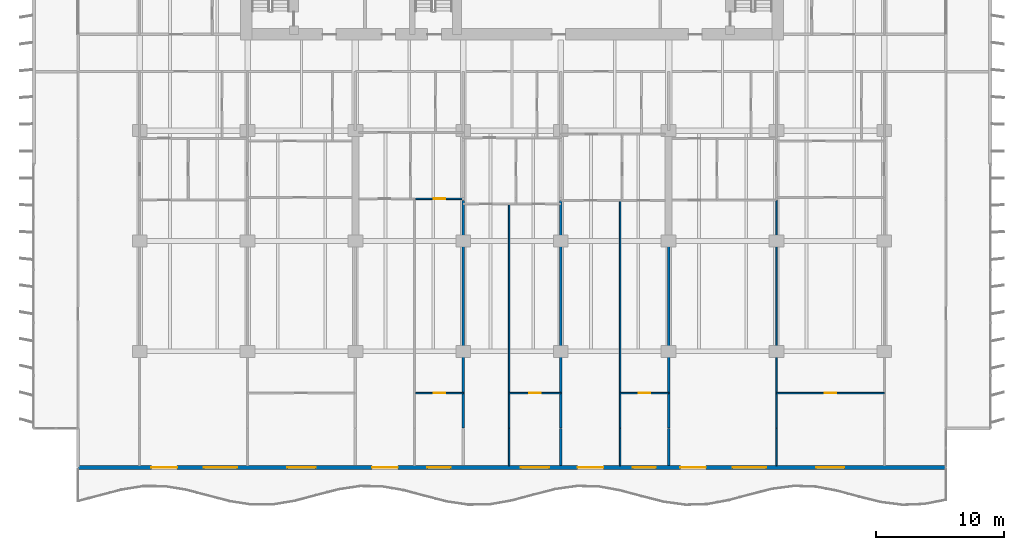
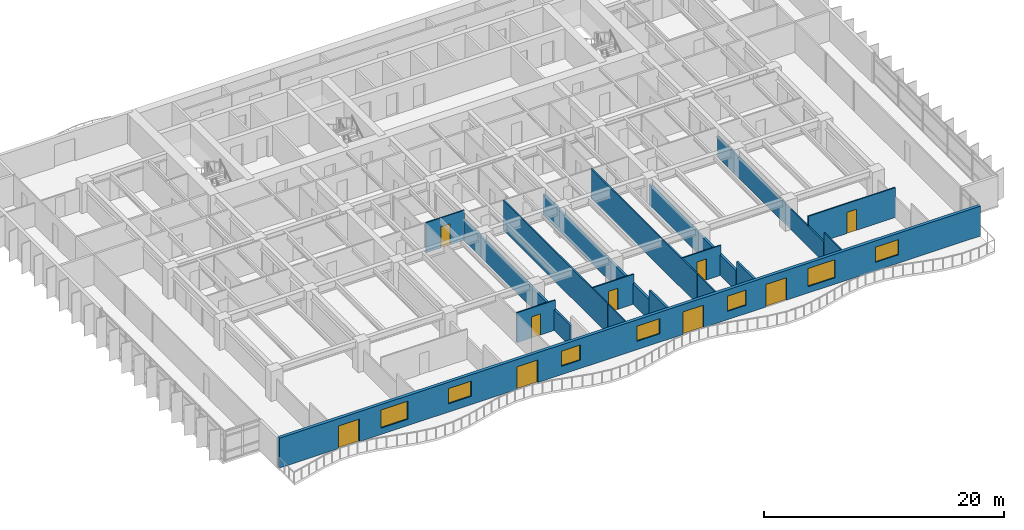
# One storey, part 8 of 18: 17 walls, 9 doors, 7 windows, 16 openings.
"""IFC4 building model written with IfcOpenShell, lengths in metres."""

from ifc_helpers import new_model, si_unit, direction, frame, frame_2d, origin, place, context, subcontext, project, spatial, rectangle, extrude, material, layer, layer_set, type_object, element, fill, save


model = new_model("IFC4")

# Units and contexts
model_context = context("Model", 3, precision=1e-05, world=origin(), true_north=direction((0.0, 1.0)))
body_context = subcontext(model_context, "Body", "Model", "MODEL_VIEW")
ifc_project = project(units=[si_unit("LENGTHUNIT", "METRE"), si_unit("AREAUNIT", "SQUARE_METRE"), si_unit("VOLUMEUNIT", "CUBIC_METRE"), si_unit("PLANEANGLEUNIT", "RADIAN"), si_unit("MASSUNIT", "GRAM", prefix="KILO")], contexts=[model_context])

# Site, building, storey
site_placement = place(None, origin())
site = spatial("IfcSite", under=ifc_project, at=site_placement, CompositionType="ELEMENT")
building_placement = place(site_placement, origin())
building = spatial("IfcBuilding", under=site, at=building_placement, Name="Caelmar Bay Residences", CompositionType="ELEMENT")
storey_placement = place(building_placement, frame((0.0, 0.0, 43.199951171875)))
storey = spatial("IfcBuildingStorey", under=building, at=storey_placement, Name="L10", CompositionType="ELEMENT", Elevation=43.199951171875)

# Wall, openings, doors, windows
ifc_material_1 = material(Name="Precast concrete f'c 40 MPa (6,000 psi)", Category="concrete")
ifc_layer_1 = layer(ifc_material_1, 0.300048828125)
ifc_layer_set_1 = layer_set([ifc_layer_1], Name="Precast concrete f'c 40 MPa (6,000 psi)")
wall_type_1 = type_object("IfcWallType", Name="W-EXT-300", PredefinedType="STANDARD", material=ifc_layer_set_1)
wall_1_placement = place(storey_placement, frame((72.699951171875, 3.14990234375, 0.0), z_axis=(0.0, 0.0, 1.0), x_axis=(-1.0, 0.0, 0.0)))
wall_1 = element("IfcWall", 1, at=wall_1_placement, inside=storey, type_object=wall_type_1, Name="L10 South Bayfront Exterior Wall", PredefinedType="STANDARD", context=body_context, shape_type="SweptSolid", body=[
    extrude(rectangle(XDim=67.599853515625, YDim=0.300048828125, at=frame_2d((33.7998046875, 0.0))), origin(), (0.0, 0.0, 1.0), 3.050048828125),
])
opening_1_placement = place(wall_1_placement, frame((59.889892578125, 0.0, 0.0)))
opening_1 = element("IfcOpeningElement", 2, at=opening_1_placement, cuts=wall_1, Name="Opening L10-BD01", PredefinedType="OPENING", context=body_context, shape_type="SweptSolid", body=[
    extrude(rectangle(XDim=2.0, YDim=2.300048828125, at=frame_2d((1.0, 1.14990234375))), frame((0.0, 0.159912109375, 0.0), z_axis=(0.0, -1.0, 0.0), x_axis=(1.0, 0.0, 0.0)), (0.0, 0.0, 1.0), 0.320068359375),
])
opening_2_placement = place(wall_1_placement, frame((55.2099609375, 0.0, 0.64990234375)))
opening_2 = element("IfcOpeningElement", 3, at=opening_2_placement, cuts=wall_1, Name="Opening WN3", PredefinedType="OPENING", context=body_context, shape_type="SweptSolid", body=[
    extrude(rectangle(XDim=2.60009765625, YDim=1.85009765625, at=frame_2d((1.300048828125, 0.925048828125))), frame((0.0, 0.159912109375, 0.0), z_axis=(0.0, -1.0, 0.0), x_axis=(1.0, 0.0, 0.0)), (0.0, 0.0, 1.0), 0.320068359375),
])
opening_3_placement = place(wall_1_placement, frame((49.10009765625, 0.0, 0.85009765625)))
opening_3 = element("IfcOpeningElement", 4, at=opening_3_placement, cuts=wall_1, Name="Opening WN2", PredefinedType="OPENING", context=body_context, shape_type="SweptSolid", body=[
    extrude(rectangle(XDim=2.199951171875, YDim=1.550048828125, at=frame_2d((1.10009765625, 0.77490234375))), frame((0.0, 0.159912109375, 0.0), z_axis=(0.0, -1.0, 0.0), x_axis=(1.0, 0.0, 0.0)), (0.0, 0.0, 1.0), 0.320068359375),
])
opening_4_placement = place(wall_1_placement, frame((42.68994140625, 0.0, 0.0)))
opening_4 = element("IfcOpeningElement", 5, at=opening_4_placement, cuts=wall_1, Name="Opening L10-BD02", PredefinedType="OPENING", context=body_context, shape_type="SweptSolid", body=[
    extrude(rectangle(XDim=2.0, YDim=2.300048828125, at=frame_2d((1.0, 1.14990234375))), frame((0.0, 0.159912109375, 0.0), z_axis=(0.0, -1.0, 0.0), x_axis=(1.0, 0.0, 0.0)), (0.0, 0.0, 1.0), 0.320068359375),
])
opening_5_placement = place(wall_1_placement, frame((38.590087890625, 0.0, 0.85009765625)))
opening_5 = element("IfcOpeningElement", 6, at=opening_5_placement, cuts=wall_1, Name="Opening WN1", PredefinedType="OPENING", context=body_context, shape_type="SweptSolid", body=[
    extrude(rectangle(XDim=1.800048828125, YDim=1.550048828125, at=frame_2d((0.89990234375, 0.77490234375))), frame((0.0, 0.159912109375, 0.0), z_axis=(0.0, -1.0, 0.0), x_axis=(1.0, 0.0, 0.0)), (0.0, 0.0, 1.0), 0.320068359375),
])
opening_6_placement = place(wall_1_placement, frame((30.9140625, 0.0, 0.85009765625)))
opening_6 = element("IfcOpeningElement", 7, at=opening_6_placement, cuts=wall_1, Name="Opening WN2", PredefinedType="OPENING", context=body_context, shape_type="SweptSolid", body=[
    extrude(rectangle(XDim=2.199951171875, YDim=1.550048828125, at=frame_2d((1.10009765625, 0.77490234375))), frame((0.0, 0.159912109375, 0.0), z_axis=(0.0, -1.0, 0.0), x_axis=(1.0, 0.0, 0.0)), (0.0, 0.0, 1.0), 0.320068359375),
])
opening_7_placement = place(wall_1_placement, frame((26.68994140625, 0.0, 0.0)))
opening_7 = element("IfcOpeningElement", 8, at=opening_7_placement, cuts=wall_1, Name="Opening L10-BD03", PredefinedType="OPENING", context=body_context, shape_type="SweptSolid", body=[
    extrude(rectangle(XDim=2.0, YDim=2.300048828125, at=frame_2d((1.0, 1.14990234375))), frame((0.0, 0.159912109375, 0.0), z_axis=(0.0, -1.0, 0.0), x_axis=(1.0, 0.0, 0.0)), (0.0, 0.0, 1.0), 0.320068359375),
])
opening_8_placement = place(wall_1_placement, frame((22.590087890625, 0.0, 0.85009765625)))
opening_8 = element("IfcOpeningElement", 9, at=opening_8_placement, cuts=wall_1, Name="Opening WN1", PredefinedType="OPENING", context=body_context, shape_type="SweptSolid", body=[
    extrude(rectangle(XDim=1.800048828125, YDim=1.550048828125, at=frame_2d((0.89990234375, 0.77490234375))), frame((0.0, 0.159912109375, 0.0), z_axis=(0.0, -1.0, 0.0), x_axis=(1.0, 0.0, 0.0)), (0.0, 0.0, 1.0), 0.320068359375),
])
opening_9_placement = place(wall_1_placement, frame((18.68994140625, 0.0, 0.0)))
opening_9 = element("IfcOpeningElement", 10, at=opening_9_placement, cuts=wall_1, Name="Opening L10-BD04", PredefinedType="OPENING", context=body_context, shape_type="SweptSolid", body=[
    extrude(rectangle(XDim=2.0, YDim=2.300048828125, at=frame_2d((1.0, 1.14990234375))), frame((0.0, 0.159912109375, 0.0), z_axis=(0.0, -1.0, 0.0), x_axis=(1.0, 0.0, 0.0)), (0.0, 0.0, 1.0), 0.320068359375),
])
opening_10_placement = place(wall_1_placement, frame((14.010009765625, 0.0, 0.64990234375)))
opening_10 = element("IfcOpeningElement", 11, at=opening_10_placement, cuts=wall_1, Name="Opening WN3", PredefinedType="OPENING", context=body_context, shape_type="SweptSolid", body=[
    extrude(rectangle(XDim=2.60009765625, YDim=1.85009765625, at=frame_2d((1.300048828125, 0.925048828125))), frame((0.0, 0.159912109375, 0.0), z_axis=(0.0, -1.0, 0.0), x_axis=(1.0, 0.0, 0.0)), (0.0, 0.0, 1.0), 0.320068359375),
])
opening_11_placement = place(wall_1_placement, frame((7.89990234375, 0.0, 0.85009765625)))
opening_11 = element("IfcOpeningElement", 12, at=opening_11_placement, cuts=wall_1, Name="Opening WN2", PredefinedType="OPENING", context=body_context, shape_type="SweptSolid", body=[
    extrude(rectangle(XDim=2.199951171875, YDim=1.550048828125, at=frame_2d((1.10009765625, 0.77490234375))), frame((0.0, 0.159912109375, 0.0), z_axis=(0.0, -1.0, 0.0), x_axis=(1.0, 0.0, 0.0)), (0.0, 0.0, 1.0), 0.320068359375),
])
ifc_material_2 = material(Name="Anodised bronze thermally broken sliding glass door", Category="glass")
ifc_layer_2 = layer(ifc_material_2, 0.050048828125)
ifc_layer_set_2 = layer_set([ifc_layer_2], Name="Anodised bronze thermally broken sliding glass door")
door_type_1 = type_object("IfcDoorType", Name="D-BAL-2000", OperationType="DOUBLE_DOOR_SLIDING", PredefinedType="DOOR", material=ifc_layer_set_2)
door_1_placement = place(opening_1_placement, origin())
door_1 = element("IfcDoor", 13, at=door_1_placement, inside=storey, type_object=door_type_1, Name="L10 Residence 01 Penthouse Living Salon Balcony Door", OperationType="DOUBLE_DOOR_SLIDING", OverallHeight=2.300048828125, OverallWidth=2.0, PredefinedType="DOOR", context=body_context, shape_type="SweptSolid", body=[
    extrude(rectangle(XDim=2.0, YDim=2.300048828125, at=frame_2d((1.0, 1.14990234375))), frame((0.0, 0.02490234375, 0.0), z_axis=(0.0, -1.0, 0.0), x_axis=(1.0, 0.0, 0.0)), (0.0, 0.0, 1.0), 0.050048828125),
])
fill(opening_1, door_1)
door_2_placement = place(opening_4_placement, origin())
door_2 = element("IfcDoor", 14, at=door_2_placement, inside=storey, type_object=door_type_1, Name="L10 Residence 02 Penthouse Living Salon Balcony Door", OperationType="DOUBLE_DOOR_SLIDING", OverallHeight=2.300048828125, OverallWidth=2.0, PredefinedType="DOOR", context=body_context, shape_type="SweptSolid", body=[
    extrude(rectangle(XDim=2.0, YDim=2.300048828125, at=frame_2d((1.0, 1.14990234375))), frame((0.0, 0.02490234375, 0.0), z_axis=(0.0, -1.0, 0.0), x_axis=(1.0, 0.0, 0.0)), (0.0, 0.0, 1.0), 0.050048828125),
])
fill(opening_4, door_2)
door_3_placement = place(opening_7_placement, origin())
door_3 = element("IfcDoor", 15, at=door_3_placement, inside=storey, type_object=door_type_1, Name="L10 Residence 04 Penthouse Living Salon Balcony Door", OperationType="DOUBLE_DOOR_SLIDING", OverallHeight=2.300048828125, OverallWidth=2.0, PredefinedType="DOOR", context=body_context, shape_type="SweptSolid", body=[
    extrude(rectangle(XDim=2.0, YDim=2.300048828125, at=frame_2d((1.0, 1.14990234375))), frame((0.0, 0.02490234375, 0.0), z_axis=(0.0, -1.0, 0.0), x_axis=(1.0, 0.0, 0.0)), (0.0, 0.0, 1.0), 0.050048828125),
])
fill(opening_7, door_3)
door_4_placement = place(opening_9_placement, origin())
door_4 = element("IfcDoor", 16, at=door_4_placement, inside=storey, type_object=door_type_1, Name="L10 Residence 05 Penthouse Living Salon Balcony Door", OperationType="DOUBLE_DOOR_SLIDING", OverallHeight=2.300048828125, OverallWidth=2.0, PredefinedType="DOOR", context=body_context, shape_type="SweptSolid", body=[
    extrude(rectangle(XDim=2.0, YDim=2.300048828125, at=frame_2d((1.0, 1.14990234375))), frame((0.0, 0.02490234375, 0.0), z_axis=(0.0, -1.0, 0.0), x_axis=(1.0, 0.0, 0.0)), (0.0, 0.0, 1.0), 0.050048828125),
])
fill(opening_9, door_4)
ifc_material_3 = material(Name="Bronze aluminium frame with laminated low-E glass", Category="aluminium")
ifc_layer_3 = layer(ifc_material_3, 0.06005859375)
ifc_layer_set_3 = layer_set([ifc_layer_3], Name="Bronze aluminium frame with laminated low-E glass")
window_type_1 = type_object("IfcWindowType", Name="WIN-BR-1800", PartitioningType="SINGLE_PANEL", PredefinedType="WINDOW", material=ifc_layer_set_3)
window_1_placement = place(opening_5_placement, origin())
window_1 = element("IfcWindow", 17, at=window_1_placement, inside=storey, type_object=window_type_1, Name="L10 Residence 02 Primary Bedroom Window", OverallHeight=1.550048828125, OverallWidth=1.800048828125, PartitioningType="SINGLE_PANEL", PredefinedType="WINDOW", context=body_context, shape_type="SweptSolid", body=[
    extrude(rectangle(XDim=1.800048828125, YDim=1.550048828125, at=frame_2d((0.89990234375, 0.77490234375))), frame((0.0, 0.030029296875, 0.0), z_axis=(0.0, -1.0, 0.0), x_axis=(1.0, 0.0, 0.0)), (0.0, 0.0, 1.0), 0.06005859375),
])
fill(opening_5, window_1)
window_2_placement = place(opening_8_placement, origin())
window_2 = element("IfcWindow", 18, at=window_2_placement, inside=storey, type_object=window_type_1, Name="L10 Residence 04 Primary Bedroom Window", OverallHeight=1.550048828125, OverallWidth=1.800048828125, PartitioningType="SINGLE_PANEL", PredefinedType="WINDOW", context=body_context, shape_type="SweptSolid", body=[
    extrude(rectangle(XDim=1.800048828125, YDim=1.550048828125, at=frame_2d((0.89990234375, 0.77490234375))), frame((0.0, 0.030029296875, 0.0), z_axis=(0.0, -1.0, 0.0), x_axis=(1.0, 0.0, 0.0)), (0.0, 0.0, 1.0), 0.06005859375),
])
fill(opening_8, window_2)
ifc_layer_4 = layer(ifc_material_3, 0.06005859375)
ifc_layer_set_4 = layer_set([ifc_layer_4], Name="Bronze aluminium frame with laminated low-E glass")
window_type_2 = type_object("IfcWindowType", Name="WIN-BR-2200", PartitioningType="SINGLE_PANEL", PredefinedType="WINDOW", material=ifc_layer_set_4)
window_3_placement = place(opening_3_placement, origin())
window_3 = element("IfcWindow", 19, at=window_3_placement, inside=storey, type_object=window_type_2, Name="L10 Residence 01 Primary Bedroom 1 Window", OverallHeight=1.550048828125, OverallWidth=2.199951171875, PartitioningType="SINGLE_PANEL", PredefinedType="WINDOW", context=body_context, shape_type="SweptSolid", body=[
    extrude(rectangle(XDim=2.199951171875, YDim=1.550048828125, at=frame_2d((1.10009765625, 0.77490234375))), frame((0.0, 0.030029296875, 0.0), z_axis=(0.0, -1.0, 0.0), x_axis=(1.0, 0.0, 0.0)), (0.0, 0.0, 1.0), 0.06005859375),
])
fill(opening_3, window_3)
window_4_placement = place(opening_6_placement, origin())
window_4 = element("IfcWindow", 20, at=window_4_placement, inside=storey, type_object=window_type_2, Name="L10 Residence 03 Primary Bedroom Window", OverallHeight=1.550048828125, OverallWidth=2.199951171875, PartitioningType="SINGLE_PANEL", PredefinedType="WINDOW", context=body_context, shape_type="SweptSolid", body=[
    extrude(rectangle(XDim=2.199951171875, YDim=1.550048828125, at=frame_2d((1.10009765625, 0.77490234375))), frame((0.0, 0.030029296875, 0.0), z_axis=(0.0, -1.0, 0.0), x_axis=(1.0, 0.0, 0.0)), (0.0, 0.0, 1.0), 0.06005859375),
])
fill(opening_6, window_4)
window_5_placement = place(opening_11_placement, origin())
window_5 = element("IfcWindow", 21, at=window_5_placement, inside=storey, type_object=window_type_2, Name="L10 Residence 05 Primary Bedroom 1 Window", OverallHeight=1.550048828125, OverallWidth=2.199951171875, PartitioningType="SINGLE_PANEL", PredefinedType="WINDOW", context=body_context, shape_type="SweptSolid", body=[
    extrude(rectangle(XDim=2.199951171875, YDim=1.550048828125, at=frame_2d((1.10009765625, 0.77490234375))), frame((0.0, 0.030029296875, 0.0), z_axis=(0.0, -1.0, 0.0), x_axis=(1.0, 0.0, 0.0)), (0.0, 0.0, 1.0), 0.06005859375),
])
fill(opening_11, window_5)
ifc_layer_5 = layer(ifc_material_3, 0.06005859375)
ifc_layer_set_5 = layer_set([ifc_layer_5], Name="Bronze aluminium frame with laminated low-E glass")
window_type_3 = type_object("IfcWindowType", Name="WIN-LIV-2600", PartitioningType="SINGLE_PANEL", PredefinedType="WINDOW", material=ifc_layer_set_5)
window_6_placement = place(opening_2_placement, origin())
window_6 = element("IfcWindow", 22, at=window_6_placement, inside=storey, type_object=window_type_3, Name="L10 Residence 01 Penthouse Living Salon Panoramic Window", OverallHeight=1.85009765625, OverallWidth=2.60009765625, PartitioningType="SINGLE_PANEL", PredefinedType="WINDOW", context=body_context, shape_type="SweptSolid", body=[
    extrude(rectangle(XDim=2.60009765625, YDim=1.85009765625, at=frame_2d((1.300048828125, 0.925048828125))), frame((0.0, 0.030029296875, 0.0), z_axis=(0.0, -1.0, 0.0), x_axis=(1.0, 0.0, 0.0)), (0.0, 0.0, 1.0), 0.06005859375),
])
fill(opening_2, window_6)
window_7_placement = place(opening_10_placement, origin())
window_7 = element("IfcWindow", 23, at=window_7_placement, inside=storey, type_object=window_type_3, Name="L10 Residence 05 Penthouse Living Salon Panoramic Window", OverallHeight=1.85009765625, OverallWidth=2.60009765625, PartitioningType="SINGLE_PANEL", PredefinedType="WINDOW", context=body_context, shape_type="SweptSolid", body=[
    extrude(rectangle(XDim=2.60009765625, YDim=1.85009765625, at=frame_2d((1.300048828125, 0.925048828125))), frame((0.0, 0.030029296875, 0.0), z_axis=(0.0, -1.0, 0.0), x_axis=(1.0, 0.0, 0.0)), (0.0, 0.0, 1.0), 0.06005859375),
])
fill(opening_10, window_7)

# Walls
ifc_material_4 = material(Name="Acoustic metal-stud gypsum partition 120 mm")
ifc_layer_6 = layer(ifc_material_4, 0.1201171875)
ifc_layer_set_6 = layer_set([ifc_layer_6], Name="Acoustic metal-stud gypsum partition 120 mm")
wall_type_2 = type_object("IfcWallType", Name="W-PRT-120", PredefinedType="PARTITIONING", material=ifc_layer_set_6)
wall_2_placement = place(storey_placement, frame((38.672119140625, 3.294921875, 0.0), z_axis=(0.0, 0.0, 1.0), x_axis=(0.0, 1.0, 0.0)))
element("IfcWall", 24, at=wall_2_placement, inside=storey, type_object=wall_type_2, Name="L10 Partition Wall V053", PredefinedType="PARTITIONING", context=body_context, shape_type="SweptSolid", body=[
    extrude(rectangle(XDim=2.905029296875, YDim=0.1201171875, at=frame_2d((1.45263671875, 0.0))), origin(), (0.0, 0.0, 1.0), 3.050048828125),
])
wall_3_placement = place(storey_placement, frame((38.672119140625, 6.239990234375, 0.0), z_axis=(0.0, 0.0, 1.0), x_axis=(0.0, 1.0, 0.0)))
element("IfcWall", 25, at=wall_3_placement, inside=storey, type_object=wall_type_2, Name="L10 Partition Wall V054", PredefinedType="PARTITIONING", context=body_context, shape_type="SweptSolid", body=[
    extrude(rectangle(XDim=17.449951171875, YDim=0.1201171875, at=frame_2d((8.72509765625, 0.0))), origin(), (0.0, 0.0, 1.0), 3.050048828125),
])
wall_4_placement = place(storey_placement, frame((47.320068359375, 3.294921875, 0.0), z_axis=(0.0, 0.0, 1.0), x_axis=(0.0, 1.0, 0.0)))
element("IfcWall", 26, at=wall_4_placement, inside=storey, type_object=wall_type_2, Name="L10 Partition Wall V070", PredefinedType="PARTITIONING", context=body_context, shape_type="SweptSolid", body=[
    extrude(rectangle(XDim=2.905029296875, YDim=0.1201171875, at=frame_2d((1.45263671875, 0.0))), origin(), (0.0, 0.0, 1.0), 3.050048828125),
])
wall_5_placement = place(storey_placement, frame((47.320068359375, 6.239990234375, 0.0), z_axis=(0.0, 0.0, 1.0), x_axis=(0.0, 1.0, 0.0)))
element("IfcWall", 27, at=wall_5_placement, inside=storey, type_object=wall_type_2, Name="L10 Partition Wall V071", PredefinedType="PARTITIONING", context=body_context, shape_type="SweptSolid", body=[
    extrude(rectangle(XDim=17.72998046875, YDim=0.1201171875, at=frame_2d((8.864990234375, 0.0))), origin(), (0.0, 0.0, 1.0), 3.050048828125),
])
wall_6_placement = place(storey_placement, frame((59.5, 3.294921875, 0.0), z_axis=(0.0, 0.0, 1.0), x_axis=(0.0, 1.0, 0.0)))
element("IfcWall", 28, at=wall_6_placement, inside=storey, type_object=wall_type_2, Name="L10 Partition Wall V090", PredefinedType="PARTITIONING", context=body_context, shape_type="SweptSolid", body=[
    extrude(rectangle(XDim=2.905029296875, YDim=0.1201171875, at=frame_2d((1.45263671875, 0.0))), origin(), (0.0, 0.0, 1.0), 3.050048828125),
])
wall_7_placement = place(storey_placement, frame((59.5, 6.239990234375, 0.0), z_axis=(0.0, 0.0, 1.0), x_axis=(0.0, 1.0, 0.0)))
element("IfcWall", 29, at=wall_7_placement, inside=storey, type_object=wall_type_2, Name="L10 Partition Wall V091", PredefinedType="PARTITIONING", context=body_context, shape_type="SweptSolid", body=[
    extrude(rectangle(XDim=17.72998046875, YDim=0.1201171875, at=frame_2d((8.864990234375, 0.0))), origin(), (0.0, 0.0, 1.0), 2.110107421875),
])

# Wall, opening, door
wall_8_placement = place(storey_placement, frame((31.39990234375, 8.949951171875, 0.0), z_axis=(0.0, 0.0, 1.0), x_axis=(1.0, 0.0, 0.0)))
wall_8 = element("IfcWall", 30, at=wall_8_placement, inside=storey, type_object=wall_type_2, Name="L10 Partition Wall H114", PredefinedType="PARTITIONING", context=body_context, shape_type="SweptSolid", body=[
    extrude(rectangle(XDim=3.7001953125, YDim=0.1201171875, at=frame_2d((1.85009765625, 0.0))), origin(), (0.0, 0.0, 1.0), 3.050048828125),
])
opening_12_placement = place(wall_8_placement, frame((1.39990234375, 0.0, 0.0)))
opening_12 = element("IfcOpeningElement", 31, at=opening_12_placement, cuts=wall_8, Name="Opening D-L10-140", PredefinedType="OPENING", context=body_context, shape_type="SweptSolid", body=[
    extrude(rectangle(XDim=0.89990234375, YDim=2.14990234375, at=frame_2d((0.449951171875, 1.074951171875))), frame((0.0, 0.070068359375, 0.0), z_axis=(0.0, -1.0, 0.0), x_axis=(1.0, 0.0, 0.0)), (0.0, 0.0, 1.0), 0.14013671875),
])
ifc_material_5 = material(Name="Solid walnut timber interior door leaf and frame", Category="wood")
ifc_layer_7 = layer(ifc_material_5, 0.050048828125)
ifc_layer_set_7 = layer_set([ifc_layer_7], Name="Solid walnut timber interior door leaf and frame")
door_type_2 = type_object("IfcDoorType", Name="D-ROOM-900", OperationType="NOTDEFINED", PredefinedType="DOOR", material=ifc_layer_set_7)
door_5_placement = place(opening_12_placement, origin())
door_5 = element("IfcDoor", 32, at=door_5_placement, inside=storey, type_object=door_type_2, Name="L10 Residence 02 Primary Bedroom Door", OperationType="SINGLE_SWING_LEFT", OverallHeight=2.14990234375, OverallWidth=0.89990234375, PredefinedType="DOOR", context=body_context, shape_type="SweptSolid", body=[
    extrude(rectangle(XDim=0.89990234375, YDim=2.14990234375, at=frame_2d((0.449951171875, 1.074951171875))), frame((0.0, 0.02490234375, 0.0), z_axis=(0.0, -1.0, 0.0), x_axis=(1.0, 0.0, 0.0)), (0.0, 0.0, 1.0), 0.050048828125),
])
fill(opening_12, door_5)

wall_9_placement = place(storey_placement, frame((38.672119140625, 8.949951171875, 0.0), z_axis=(0.0, 0.0, 1.0), x_axis=(1.0, 0.0, 0.0)))
wall_9 = element("IfcWall", 33, at=wall_9_placement, inside=storey, type_object=wall_type_2, Name="L10 Partition Wall H115", PredefinedType="PARTITIONING", context=body_context, shape_type="SweptSolid", body=[
    extrude(rectangle(XDim=4.02783203125, YDim=0.1201171875, at=frame_2d((2.013916015625, 0.0))), origin(), (0.0, 0.0, 1.0), 3.050048828125),
])
opening_13_placement = place(wall_9_placement, frame((1.56396484375, 0.0, 0.0)))
opening_13 = element("IfcOpeningElement", 34, at=opening_13_placement, cuts=wall_9, Name="Opening D-L10-147", PredefinedType="OPENING", context=body_context, shape_type="SweptSolid", body=[
    extrude(rectangle(XDim=0.89990234375, YDim=2.14990234375, at=frame_2d((0.449951171875, 1.074951171875))), frame((0.0, 0.070068359375, 0.0), z_axis=(0.0, -1.0, 0.0), x_axis=(1.0, 0.0, 0.0)), (0.0, 0.0, 1.0), 0.14013671875),
])
door_6_placement = place(opening_13_placement, origin())
door_6 = element("IfcDoor", 35, at=door_6_placement, inside=storey, type_object=door_type_2, Name="L10 Residence 03 Primary Bedroom Door", OperationType="SINGLE_SWING_RIGHT", OverallHeight=2.14990234375, OverallWidth=0.89990234375, PredefinedType="DOOR", context=body_context, shape_type="SweptSolid", body=[
    extrude(rectangle(XDim=0.89990234375, YDim=2.14990234375, at=frame_2d((0.449951171875, 1.074951171875))), frame((0.0, 0.02490234375, 0.0), z_axis=(0.0, -1.0, 0.0), x_axis=(1.0, 0.0, 0.0)), (0.0, 0.0, 1.0), 0.050048828125),
])
fill(opening_13, door_6)

wall_10_placement = place(storey_placement, frame((47.320068359375, 8.949951171875, 0.0), z_axis=(0.0, 0.0, 1.0), x_axis=(1.0, 0.0, 0.0)))
wall_10 = element("IfcWall", 36, at=wall_10_placement, inside=storey, type_object=wall_type_2, Name="L10 Partition Wall H116", PredefinedType="PARTITIONING", context=body_context, shape_type="SweptSolid", body=[
    extrude(rectangle(XDim=3.780029296875, YDim=0.1201171875, at=frame_2d((1.89013671875, 0.0))), origin(), (0.0, 0.0, 1.0), 3.050048828125),
])
opening_14_placement = place(wall_10_placement, frame((1.43994140625, 0.0, 0.0)))
opening_14 = element("IfcOpeningElement", 37, at=opening_14_placement, cuts=wall_10, Name="Opening D-L10-154", PredefinedType="OPENING", context=body_context, shape_type="SweptSolid", body=[
    extrude(rectangle(XDim=0.89990234375, YDim=2.14990234375, at=frame_2d((0.449951171875, 1.074951171875))), frame((0.0, 0.070068359375, 0.0), z_axis=(0.0, -1.0, 0.0), x_axis=(1.0, 0.0, 0.0)), (0.0, 0.0, 1.0), 0.14013671875),
])
door_7_placement = place(opening_14_placement, origin())
door_7 = element("IfcDoor", 38, at=door_7_placement, inside=storey, type_object=door_type_2, Name="L10 Residence 04 Primary Bedroom Door", OperationType="SINGLE_SWING_LEFT", OverallHeight=2.14990234375, OverallWidth=0.89990234375, PredefinedType="DOOR", context=body_context, shape_type="SweptSolid", body=[
    extrude(rectangle(XDim=0.89990234375, YDim=2.14990234375, at=frame_2d((0.449951171875, 1.074951171875))), frame((0.0, 0.02490234375, 0.0), z_axis=(0.0, -1.0, 0.0), x_axis=(1.0, 0.0, 0.0)), (0.0, 0.0, 1.0), 0.050048828125),
])
fill(opening_14, door_7)

wall_11_placement = place(storey_placement, frame((59.5, 8.949951171875, 0.0), z_axis=(0.0, 0.0, 1.0), x_axis=(1.0, 0.0, 0.0)))
wall_11 = element("IfcWall", 39, at=wall_11_placement, inside=storey, type_object=wall_type_2, Name="L10 Partition Wall H117", PredefinedType="PARTITIONING", context=body_context, shape_type="SweptSolid", body=[
    extrude(rectangle(XDim=8.39990234375, YDim=0.1201171875, at=frame_2d((4.199951171875, 0.0))), origin(), (0.0, 0.0, 1.0), 3.050048828125),
])
opening_15_placement = place(wall_11_placement, frame((3.75, 0.0, 0.0)))
opening_15 = element("IfcOpeningElement", 40, at=opening_15_placement, cuts=wall_11, Name="Opening D-L10-164", PredefinedType="OPENING", context=body_context, shape_type="SweptSolid", body=[
    extrude(rectangle(XDim=0.89990234375, YDim=2.14990234375, at=frame_2d((0.449951171875, 1.074951171875))), frame((0.0, 0.070068359375, 0.0), z_axis=(0.0, -1.0, 0.0), x_axis=(1.0, 0.0, 0.0)), (0.0, 0.0, 1.0), 0.14013671875),
])
door_8_placement = place(opening_15_placement, origin())
door_8 = element("IfcDoor", 41, at=door_8_placement, inside=storey, type_object=door_type_2, Name="L10 Residence 05 Primary Bedroom 1 Door", OperationType="SINGLE_SWING_LEFT", OverallHeight=2.14990234375, OverallWidth=0.89990234375, PredefinedType="DOOR", context=body_context, shape_type="SweptSolid", body=[
    extrude(rectangle(XDim=0.89990234375, YDim=2.14990234375, at=frame_2d((0.449951171875, 1.074951171875))), frame((0.0, 0.02490234375, 0.0), z_axis=(0.0, -1.0, 0.0), x_axis=(1.0, 0.0, 0.0)), (0.0, 0.0, 1.0), 0.050048828125),
])
fill(opening_15, door_8)

wall_12_placement = place(storey_placement, frame((31.39990234375, 24.090087890625, 0.0), z_axis=(0.0, 0.0, 1.0), x_axis=(1.0, 0.0, 0.0)))
wall_12 = element("IfcWall", 42, at=wall_12_placement, inside=storey, type_object=wall_type_2, Name="L10 Partition Wall H123", PredefinedType="PARTITIONING", context=body_context, shape_type="SweptSolid", body=[
    extrude(rectangle(XDim=3.7001953125, YDim=0.1201171875, at=frame_2d((1.85009765625, 0.0))), origin(), (0.0, 0.0, 1.0), 3.050048828125),
])
opening_16_placement = place(wall_12_placement, frame((1.39990234375, 0.0, 0.0)))
opening_16 = element("IfcOpeningElement", 43, at=opening_16_placement, cuts=wall_12, Name="Opening D-L10-139", PredefinedType="OPENING", context=body_context, shape_type="SweptSolid", body=[
    extrude(rectangle(XDim=0.89990234375, YDim=2.14990234375, at=frame_2d((0.449951171875, 1.074951171875))), frame((0.0, 0.070068359375, 0.0), z_axis=(0.0, -1.0, 0.0), x_axis=(1.0, 0.0, 0.0)), (0.0, 0.0, 1.0), 0.14013671875),
])
door_9_placement = place(opening_16_placement, origin())
door_9 = element("IfcDoor", 44, at=door_9_placement, inside=storey, type_object=door_type_2, Name="L10 Residence 02 Penthouse Sitting Room Door", OperationType="SINGLE_SWING_RIGHT", OverallHeight=2.14990234375, OverallWidth=0.89990234375, PredefinedType="DOOR", context=body_context, shape_type="SweptSolid", body=[
    extrude(rectangle(XDim=0.89990234375, YDim=2.14990234375, at=frame_2d((0.449951171875, 1.074951171875))), frame((0.0, 0.02490234375, 0.0), z_axis=(0.0, -1.0, 0.0), x_axis=(1.0, 0.0, 0.0)), (0.0, 0.0, 1.0), 0.050048828125),
])
fill(opening_16, door_9)

# Walls
ifc_material_6 = material(Name="Acoustic twin-stud fire-rated inter-tenancy partition 200 mm")
ifc_layer_8 = layer(ifc_material_6, 0.199951171875)
ifc_layer_set_8 = layer_set([ifc_layer_8], Name="Acoustic twin-stud fire-rated inter-tenancy partition 200 mm")
wall_type_3 = type_object("IfcWallType", Name="W-PTY-200", PredefinedType="PARTITIONING", material=ifc_layer_set_8)
wall_13_placement = place(storey_placement, frame((35.10009765625, 6.239990234375, 0.0), z_axis=(0.0, 0.0, 1.0), x_axis=(0.0, 1.0, 0.0)))
element("IfcWall", 45, at=wall_13_placement, inside=storey, type_object=wall_type_3, Name="L10 Partition Wall V046", PredefinedType="PARTITIONING", context=body_context, shape_type="SweptSolid", body=[
    extrude(rectangle(XDim=17.72998046875, YDim=0.199951171875, at=frame_2d((8.864990234375, 0.0))), origin(), (0.0, 0.0, 1.0), 2.110107421875),
])
wall_14_placement = place(storey_placement, frame((42.699951171875, 3.294921875, 0.0), z_axis=(0.0, 0.0, 1.0), x_axis=(0.0, 1.0, 0.0)))
element("IfcWall", 46, at=wall_14_placement, inside=storey, type_object=wall_type_3, Name="L10 Partition Wall V061", PredefinedType="PARTITIONING", context=body_context, shape_type="SweptSolid", body=[
    extrude(rectangle(XDim=2.905029296875, YDim=0.199951171875, at=frame_2d((1.45263671875, 0.0))), origin(), (0.0, 0.0, 1.0), 3.050048828125),
])
wall_15_placement = place(storey_placement, frame((42.699951171875, 6.239990234375, 0.0), z_axis=(0.0, 0.0, 1.0), x_axis=(0.0, 1.0, 0.0)))
element("IfcWall", 47, at=wall_15_placement, inside=storey, type_object=wall_type_3, Name="L10 Partition Wall V062", PredefinedType="PARTITIONING", context=body_context, shape_type="SweptSolid", body=[
    extrude(rectangle(XDim=17.72998046875, YDim=0.199951171875, at=frame_2d((8.864990234375, 0.0))), origin(), (0.0, 0.0, 1.0), 2.110107421875),
])
wall_16_placement = place(storey_placement, frame((51.10009765625, 3.294921875, 0.0), z_axis=(0.0, 0.0, 1.0), x_axis=(0.0, 1.0, 0.0)))
element("IfcWall", 48, at=wall_16_placement, inside=storey, type_object=wall_type_3, Name="L10 Partition Wall V080", PredefinedType="PARTITIONING", context=body_context, shape_type="SweptSolid", body=[
    extrude(rectangle(XDim=2.905029296875, YDim=0.199951171875, at=frame_2d((1.45263671875, 0.0))), origin(), (0.0, 0.0, 1.0), 3.050048828125),
])
wall_17_placement = place(storey_placement, frame((51.10009765625, 6.239990234375, 0.0), z_axis=(0.0, 0.0, 1.0), x_axis=(0.0, 1.0, 0.0)))
element("IfcWall", 49, at=wall_17_placement, inside=storey, type_object=wall_type_3, Name="L10 Partition Wall V081", PredefinedType="PARTITIONING", context=body_context, shape_type="SweptSolid", body=[
    extrude(rectangle(XDim=14.554931640625, YDim=0.199951171875, at=frame_2d((7.27734375, 0.0))), origin(), (0.0, 0.0, 1.0), 2.110107421875),
])

save(model, "model.ifc")
